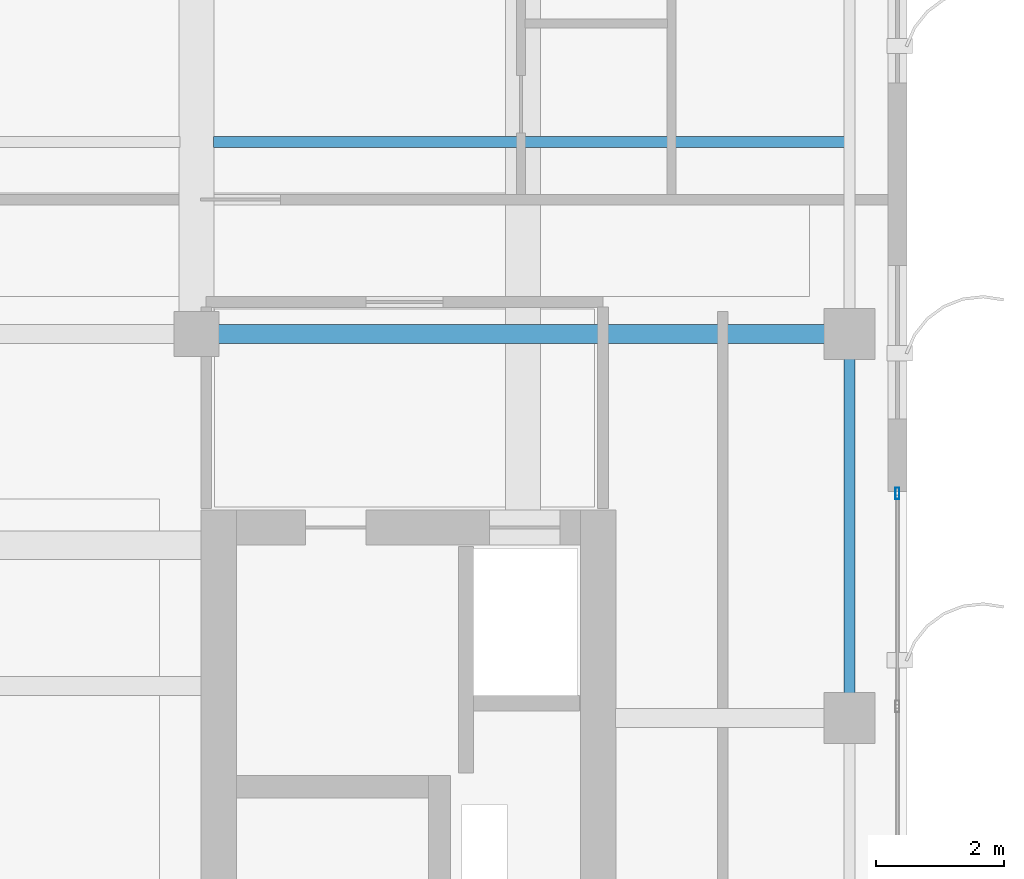
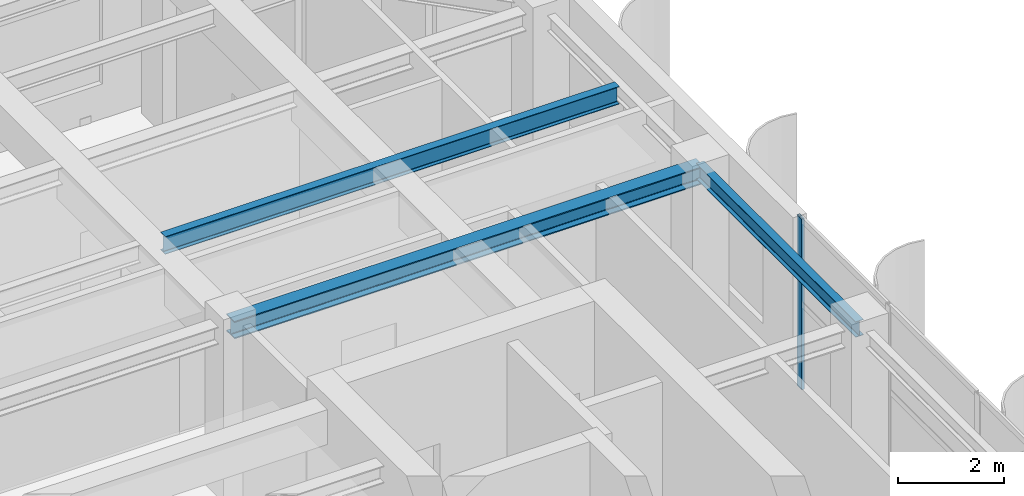
# One storey, part 13 of 26: 3 beams, 1 member, 1 element without a shape of its own.
"""IFC4 building model written with IfcOpenShell, lengths in metres."""

from ifc_helpers import new_model, si_unit, direction, frame, origin, origin_2d, place, context, subcontext, project, spatial, hollow_rectangle, i_section, extrude, source, transform, mapped, material, layer, layer_set, material_profile, profile_set, type_object, element, aggregate, save


model = new_model("IFC4")

# Units and contexts
model_context = context("Model", 3, precision=1e-05, world=origin(), true_north=direction((0.0, 1.0)))
body_context = subcontext(model_context, "Body", "Model", "MODEL_VIEW")
ifc_project = project(units=[si_unit("LENGTHUNIT", "METRE"), si_unit("AREAUNIT", "SQUARE_METRE"), si_unit("VOLUMEUNIT", "CUBIC_METRE"), si_unit("PLANEANGLEUNIT", "RADIAN"), si_unit("MASSUNIT", "GRAM", prefix="KILO")], contexts=[model_context])

# Site, building, storey
site_placement = place(None, origin())
site = spatial("IfcSite", under=ifc_project, at=site_placement, CompositionType="ELEMENT")
building_placement = place(site_placement, origin())
building = spatial("IfcBuilding", under=site, at=building_placement, Name="Khoralis Quay Care Tower", CompositionType="ELEMENT")
storey_placement = place(building_placement, frame((0.0, 0.0, 289.5)))
storey = spatial("IfcBuildingStorey", under=building, at=storey_placement, Name="L76", CompositionType="ELEMENT", Elevation=289.5)

# Beams
ifc_material_1 = material(Name="Steel S355", Category="steel")
ifc_material_profile_1 = material_profile(ifc_material_1, i_section(OverallWidth=0.169921875, OverallDepth=0.360107421875, WebThickness=0.008056640625, FlangeThickness=0.0126953125, FilletRadius=0.01806640625, at=origin_2d()), Name="Steel S355")
ifc_profile_set_1 = profile_set([ifc_material_profile_1], Name="Steel S355")
beam_type_1 = type_object("IfcBeamType", Name="BM-IPE360", PredefinedType="SPANDREL", material=ifc_profile_set_1)
shared_shape_1 = source(origin(), body_context, "Body", "SweptSolid", [
    extrude(i_section(OverallWidth=0.169921875, OverallDepth=0.360107421875, WebThickness=0.008056640625, FlangeThickness=0.0126953125, FilletRadius=0.01806640625, at=origin_2d()), origin(), (0.0, 0.0, 1.0), 6.0),
])
beam_1_placement = place(storey_placement, frame((41.10009765625, 24.0, 3.739990234375), z_axis=(0.0, 1.0, 0.0), x_axis=(-1.0, 0.0, 0.0)))
element("IfcBeam", 1, at=beam_1_placement, inside=storey, type_object=beam_type_1, Name="BM-TSP-L76-15", PredefinedType="SPANDREL", context=body_context, shape_type="MappedRepresentation", body=[
    mapped(shared_shape_1, transform((0.0, 0.0, 0.0), scale=1.0)),
])
ifc_material_profile_2 = material_profile(ifc_material_1, i_section(OverallWidth=0.300048828125, OverallDepth=0.39990234375, WebThickness=0.013427734375, FlangeThickness=0.02392578125, FilletRadius=0.027099609375, at=origin_2d()), Name="Steel S355")
ifc_profile_set_2 = profile_set([ifc_material_profile_2], Name="Steel S355")
beam_type_2 = type_object("IfcBeamType", Name="BM-HEB400", PredefinedType="BEAM", material=ifc_profile_set_2)
shared_shape_2 = source(origin(), body_context, "Body", "SweptSolid", [
    extrude(i_section(OverallWidth=0.300048828125, OverallDepth=0.39990234375, WebThickness=0.013427734375, FlangeThickness=0.02392578125, FilletRadius=0.027099609375, at=origin_2d()), origin(), (0.0, 0.0, 1.0), 10.2001953125),
])
beam_2_placement = place(storey_placement, frame((30.89990234375, 30.0, 3.719970703125), z_axis=(1.0, 0.0, 0.0), x_axis=(0.0, 1.0, 0.0)))
element("IfcBeam", 2, at=beam_2_placement, inside=storey, type_object=beam_type_2, Name="BM-TGXE-L76-300", PredefinedType="BEAM", context=body_context, shape_type="MappedRepresentation", body=[
    mapped(shared_shape_2, transform((0.0, 0.0, 0.0), scale=1.0)),
])
ifc_material_profile_3 = material_profile(ifc_material_1, i_section(OverallWidth=0.177978515625, OverallDepth=0.406982421875, WebThickness=0.0078125, FlangeThickness=0.0126953125, FilletRadius=0.012939453125, at=origin_2d()), Name="Steel S355")
ifc_profile_set_3 = profile_set([ifc_material_profile_3], Name="Steel S355")
beam_type_3 = type_object("IfcBeamType", Name="BM-W410X60", PredefinedType="JOIST", material=ifc_profile_set_3)
shared_shape_3 = source(origin(), body_context, "Body", "SweptSolid", [
    extrude(i_section(OverallWidth=0.177978515625, OverallDepth=0.406982421875, WebThickness=0.0078125, FlangeThickness=0.0126953125, FilletRadius=0.012939453125, at=origin_2d()), origin(), (0.0, 0.0, 1.0), 9.865966796875),
])
beam_3_placement = place(storey_placement, frame((31.1630859375, 33.0, 3.716552734375), z_axis=(1.0, 0.0, 0.0), x_axis=(0.0, 1.0, 0.0)))
element("IfcBeam", 3, at=beam_3_placement, inside=storey, type_object=beam_type_3, Name="BM-TJS-L76-25", PredefinedType="JOIST", context=body_context, shape_type="MappedRepresentation", body=[
    mapped(shared_shape_3, transform((0.0, 0.0, 0.0), scale=1.0)),
])

# Curtain wall, member
ifc_material_2 = material(Name="Pale anodised aluminium", Category="aluminium")
ifc_layer = layer(ifc_material_2, 0.159912109375)
ifc_layer_set = layer_set([ifc_layer], Name="Pale anodised aluminium")
curtain_wall_type = type_object("IfcCurtainWallType", Name="CW-SYS-Z3", PredefinedType="NOTDEFINED", material=ifc_layer_set)
curtain_wall_placement = place(storey_placement, origin())
curtain_wall = element("IfcCurtainWall", 4, at=curtain_wall_placement, inside=storey, type_object=curtain_wall_type, Name="L76 Unitised Curtain Wall CW-L76-P1-E5", PredefinedType="NOTDEFINED")
ifc_material_profile_4 = material_profile(ifc_material_2, hollow_rectangle(XDim=0.06494140625, YDim=0.179931640625, WallThickness=0.00390625, at=origin_2d()), Name="Pale anodised aluminium")
ifc_profile_set_4 = profile_set([ifc_material_profile_4], Name="Pale anodised aluminium")
member_type = type_object("IfcMemberType", Name="CW-MUL-180", PredefinedType="MULLION", material=ifc_profile_set_4)
shared_shape_4 = source(origin(), body_context, "Body", "SweptSolid", [
    extrude(hollow_rectangle(XDim=0.06494140625, YDim=0.179931640625, WallThickness=0.00390625, at=origin_2d()), origin(), (0.0, 0.0, 1.0), 3.919921875),
])
member_placement = place(storey_placement, frame((41.85009765625, 27.510009765625, 0.0), z_axis=(0.0, 0.0, 1.0), x_axis=(-1.0, 0.0, 0.0)))
member = element("IfcMember", 5, at=member_placement, type_object=member_type, Name="CW3 mullion 4", PredefinedType="MULLION", context=body_context, shape_type="MappedRepresentation", body=[
    mapped(shared_shape_4, transform((0.0, 0.0, 0.0), scale=1.0)),
])
aggregate(curtain_wall, [member])

save(model, "model.ifc")
